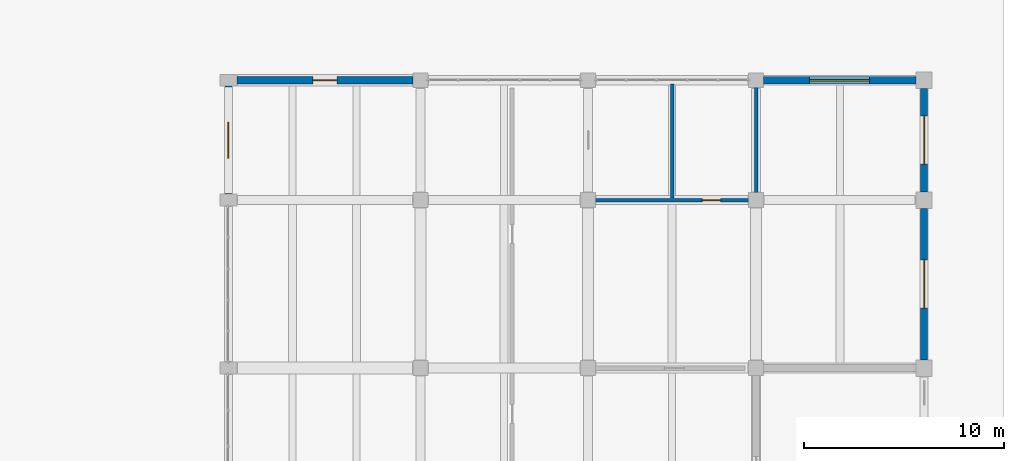
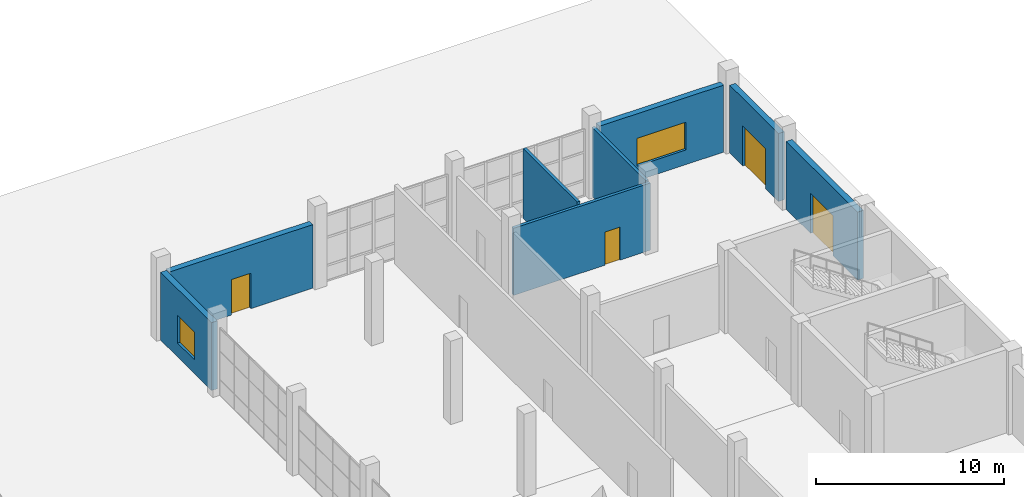
# One storey, part 68 of 78: 8 walls, 4 doors, 2 windows, 6 openings.
"""IFC4 building model written with IfcOpenShell, lengths in metres."""

from ifc_helpers import new_model, si_unit, direction, frame, frame_2d, origin, place, context, subcontext, project, spatial, rectangle, extrude, material, layer, layer_set, type_object, element, fill, save


model = new_model("IFC4")

# Units and contexts
model_context = context("Model", 3, precision=1e-05, world=origin(), true_north=direction((0.0, 1.0)))
body_context = subcontext(model_context, "Body", "Model", "MODEL_VIEW")
ifc_project = project(units=[si_unit("LENGTHUNIT", "METRE"), si_unit("AREAUNIT", "SQUARE_METRE"), si_unit("VOLUMEUNIT", "CUBIC_METRE"), si_unit("PLANEANGLEUNIT", "RADIAN"), si_unit("MASSUNIT", "GRAM", prefix="KILO")], contexts=[model_context])

# Site, building, storey
site_placement = place(None, origin())
site = spatial("IfcSite", under=ifc_project, at=site_placement, CompositionType="ELEMENT")
building_placement = place(site_placement, origin())
building = spatial("IfcBuilding", under=site, at=building_placement, Name="Pellamere Symphony Hall", CompositionType="ELEMENT")
storey_placement = place(building_placement, origin())
storey = spatial("IfcBuildingStorey", under=building, at=storey_placement, Name="L00", CompositionType="ELEMENT", Elevation=0.0)

# Wall, opening, door
ifc_material_1 = material(Name="Precast concrete 40 MPa", Category="concrete")
ifc_layer_1 = layer(ifc_material_1, 0.360107421875, Name="Precast concrete 40 MPa")
ifc_layer_set_1 = layer_set([ifc_layer_1], Name="Precast concrete 40 MPa")
wall_type_1 = type_object("IfcWallType", Name="Exterior Wall EW-01 360mm", PredefinedType="SOLIDWALL", material=ifc_layer_set_1)
wall_1_placement = place(storey_placement, frame((138.425048828125, 99.60009765625, 0.0), z_axis=(0.0, 0.0, 1.0), x_axis=(1.0, 0.0, 0.0)))
wall_1 = element("IfcWall", 1, at=wall_1_placement, inside=storey, type_object=wall_type_1, Name="Exterior Wall EW-01-071 (L00)", PredefinedType="SOLIDWALL", context=body_context, shape_type="SweptSolid", body=[
    extrude(rectangle(XDim=8.800048828125, YDim=0.360107421875, at=frame_2d((4.39990234375, 0.0))), origin(), (0.0, 0.0, 1.0), 4.1201171875),
])
opening_1_placement = place(wall_1_placement, frame((3.800048828125, 0.0, 0.0)))
opening_1 = element("IfcOpeningElement", 2, at=opening_1_placement, cuts=wall_1, Name="Opening E15", PredefinedType="OPENING", context=body_context, shape_type="SweptSolid", body=[
    extrude(rectangle(XDim=1.199951171875, YDim=2.300048828125, at=frame_2d((0.60009765625, 1.14990234375))), frame((0.0, 0.18994140625, 0.0), z_axis=(0.0, -1.0, 0.0), x_axis=(1.0, 0.0, 0.0)), (0.0, 0.0, 1.0), 0.380126953125),
])
ifc_material_2 = material(Name="Thermally Broken Bronze-Anodised Aluminium Acoustic Door", Category="aluminium")
door_type_1 = type_object("IfcDoorType", Name="Exterior Door ED-04 1200x2300", OperationType="NOTDEFINED", PredefinedType="DOOR", material=ifc_material_2)
door_1_placement = place(opening_1_placement, origin())
door_1 = element("IfcDoor", 3, at=door_1_placement, inside=storey, type_object=door_type_1, Name="Education Wing North Courtyard Exit", OperationType="SINGLE_SWING_LEFT", OverallHeight=2.300048828125, OverallWidth=1.199951171875, PredefinedType="DOOR", context=body_context, shape_type="SweptSolid", body=[
    extrude(rectangle(XDim=1.199951171875, YDim=2.300048828125, at=frame_2d((0.60009765625, 1.14990234375))), frame((0.0, 0.02490234375, 0.0), z_axis=(0.0, -1.0, 0.0), x_axis=(1.0, 0.0, 0.0)), (0.0, 0.0, 1.0), 0.050048828125),
])
fill(opening_1, door_1)

# Wall, opening, window
wall_2_placement = place(storey_placement, frame((164.77490234375, 99.60009765625, 0.0), z_axis=(0.0, 0.0, 1.0), x_axis=(1.0, 0.0, 0.0)))
wall_2 = element("IfcWall", 4, at=wall_2_placement, inside=storey, type_object=wall_type_1, Name="Exterior Wall EW-01-072 (L00)", PredefinedType="SOLIDWALL", context=body_context, shape_type="SweptSolid", body=[
    extrude(rectangle(XDim=7.614990234375, YDim=0.360107421875, at=frame_2d((3.8076171875, 0.0))), origin(), (0.0, 0.0, 1.0), 4.340087890625),
])
opening_2_placement = place(wall_2_placement, frame((2.3076171875, 0.0, 0.949951171875)))
opening_2 = element("IfcOpeningElement", 5, at=opening_2_placement, cuts=wall_2, Name="Opening W043", PredefinedType="OPENING", context=body_context, shape_type="SweptSolid", body=[
    extrude(rectangle(XDim=3.0, YDim=1.800048828125, at=frame_2d((1.5, 0.89990234375))), frame((0.0, 0.18994140625, 0.0), z_axis=(0.0, -1.0, 0.0), x_axis=(1.0, 0.0, 0.0)), (0.0, 0.0, 1.0), 0.380126953125),
])
ifc_material_3 = material(Name="Thermally Broken Aluminium Triple-Glazed Acoustic Window", Category="aluminium")
window_type_1 = type_object("IfcWindowType", Name="Window WN-16 3000x1800", PartitioningType="TRIPLE_PANEL_VERTICAL", PredefinedType="WINDOW", material=ifc_material_3)
window_1_placement = place(opening_2_placement, origin())
window_1 = element("IfcWindow", 6, at=window_1_placement, inside=storey, type_object=window_type_1, Name="Exterior Window W043 (L00)", OverallHeight=1.800048828125, OverallWidth=3.0, PartitioningType="SINGLE_PANEL", PredefinedType="WINDOW", context=body_context, shape_type="SweptSolid", body=[
    extrude(rectangle(XDim=3.0, YDim=1.800048828125, at=frame_2d((1.5, 0.89990234375))), frame((0.0, 0.030029296875, 0.0), z_axis=(0.0, -1.0, 0.0), x_axis=(1.0, 0.0, 0.0)), (0.0, 0.0, 1.0), 0.06005859375),
])
fill(opening_2, window_1)

# Wall, opening, door
wall_3_placement = place(storey_placement, frame((172.800048828125, 85.610107421875, 0.0), z_axis=(0.0, 0.0, 1.0), x_axis=(0.0, 1.0, 0.0)))
wall_3 = element("IfcWall", 7, at=wall_3_placement, inside=storey, type_object=wall_type_1, Name="Exterior Wall EW-01-077 (L00)", PredefinedType="SOLIDWALL", context=body_context, shape_type="SweptSolid", body=[
    extrude(rectangle(XDim=7.579833984375, YDim=0.360107421875, at=frame_2d((3.7900390625, 0.0))), origin(), (0.0, 0.0, 1.0), 4.39990234375),
])
opening_3_placement = place(wall_3_placement, frame((2.590087890625, 0.0, 0.0)))
opening_3 = element("IfcOpeningElement", 8, at=opening_3_placement, cuts=wall_3, Name="Opening E3085", PredefinedType="OPENING", context=body_context, shape_type="SweptSolid", body=[
    extrude(rectangle(XDim=2.39990234375, YDim=2.60009765625, at=frame_2d((1.199951171875, 1.300048828125))), frame((0.0, 0.18994140625, 0.0), z_axis=(0.0, -1.0, 0.0), x_axis=(1.0, 0.0, 0.0)), (0.0, 0.0, 1.0), 0.380126953125),
])
door_type_2 = type_object("IfcDoorType", Name="Exterior Door ED-01 2400x2600", OperationType="NOTDEFINED", PredefinedType="DOOR", material=ifc_material_2)
door_2_placement = place(opening_3_placement, frame((2.39990234375, 0.0, 0.0), z_axis=(0.0, 0.0, 1.0), x_axis=(-1.0, 0.0, 0.0)))
door_2 = element("IfcDoor", 9, at=door_2_placement, inside=storey, type_object=door_type_2, Name="Conservatory Wing East Plaza Exit", OperationType="DOUBLE_DOOR_SINGLE_SWING", OverallHeight=2.60009765625, OverallWidth=2.39990234375, PredefinedType="DOOR", context=body_context, shape_type="SweptSolid", body=[
    extrude(rectangle(XDim=2.39990234375, YDim=2.60009765625, at=frame_2d((1.199951171875, 1.300048828125))), frame((0.0, 0.02490234375, 0.0), z_axis=(0.0, -1.0, 0.0), x_axis=(1.0, 0.0, 0.0)), (0.0, 0.0, 1.0), 0.050048828125),
])
fill(opening_3, door_2)

wall_4_placement = place(storey_placement, frame((172.800048828125, 94.010009765625, 0.0), z_axis=(0.0, 0.0, 1.0), x_axis=(0.0, 1.0, 0.0)))
wall_4 = element("IfcWall", 10, at=wall_4_placement, inside=storey, type_object=wall_type_1, Name="Exterior Wall EW-01-078 (L00)", PredefinedType="SOLIDWALL", context=body_context, shape_type="SweptSolid", body=[
    extrude(rectangle(XDim=5.179931640625, YDim=0.360107421875, at=frame_2d((2.58984375, 0.0))), origin(), (0.0, 0.0, 1.0), 4.39990234375),
])
opening_4_placement = place(wall_4_placement, frame((1.389892578125, 0.0, 0.0)))
opening_4 = element("IfcOpeningElement", 11, at=opening_4_placement, cuts=wall_4, Name="Opening E3093", PredefinedType="OPENING", context=body_context, shape_type="SweptSolid", body=[
    extrude(rectangle(XDim=2.39990234375, YDim=2.60009765625, at=frame_2d((1.199951171875, 1.300048828125))), frame((0.0, 0.18994140625, 0.0), z_axis=(0.0, -1.0, 0.0), x_axis=(1.0, 0.0, 0.0)), (0.0, 0.0, 1.0), 0.380126953125),
])
door_3_placement = place(opening_4_placement, frame((2.39990234375, 0.0, 0.0), z_axis=(0.0, 0.0, 1.0), x_axis=(-1.0, 0.0, 0.0)))
door_3 = element("IfcDoor", 12, at=door_3_placement, inside=storey, type_object=door_type_2, Name="Conservatory Wing East Plaza Exit", OperationType="DOUBLE_DOOR_SINGLE_SWING", OverallHeight=2.60009765625, OverallWidth=2.39990234375, PredefinedType="DOOR", context=body_context, shape_type="SweptSolid", body=[
    extrude(rectangle(XDim=2.39990234375, YDim=2.60009765625, at=frame_2d((1.199951171875, 1.300048828125))), frame((0.0, 0.02490234375, 0.0), z_axis=(0.0, -1.0, 0.0), x_axis=(1.0, 0.0, 0.0)), (0.0, 0.0, 1.0), 0.050048828125),
])
fill(opening_4, door_3)

# Wall, opening, window
wall_5_placement = place(storey_placement, frame((138.0, 93.89990234375, 0.0), z_axis=(0.0, 0.0, 1.0), x_axis=(0.0, 1.0, 0.0)))
wall_5 = element("IfcWall", 13, at=wall_5_placement, inside=storey, type_object=wall_type_1, Name="Exterior Wall EW-01-081 (L00)", PredefinedType="SOLIDWALL", context=body_context, shape_type="SweptSolid", body=[
    extrude(rectangle(XDim=5.400146484375, YDim=0.360107421875, at=frame_2d((2.7001953125, 0.0))), origin(), (0.0, 0.0, 1.0), 4.39990234375),
])
opening_5_placement = place(wall_5_placement, frame((1.800048828125, 0.0, 0.89990234375)))
opening_5 = element("IfcOpeningElement", 14, at=opening_5_placement, cuts=wall_5, Name="Opening W046", PredefinedType="OPENING", context=body_context, shape_type="SweptSolid", body=[
    extrude(rectangle(XDim=1.800048828125, YDim=1.800048828125, at=frame_2d((0.89990234375, 0.89990234375))), frame((0.0, 0.18994140625, 0.0), z_axis=(0.0, -1.0, 0.0), x_axis=(1.0, 0.0, 0.0)), (0.0, 0.0, 1.0), 0.380126953125),
])
window_type_2 = type_object("IfcWindowType", Name="Window WN-03 1800x1800", PartitioningType="DOUBLE_PANEL_VERTICAL", PredefinedType="WINDOW", material=ifc_material_3)
window_2_placement = place(opening_5_placement, origin())
window_2 = element("IfcWindow", 15, at=window_2_placement, inside=storey, type_object=window_type_2, Name="Exterior Window W046 (L00)", OverallHeight=1.800048828125, OverallWidth=1.800048828125, PartitioningType="SINGLE_PANEL", PredefinedType="WINDOW", context=body_context, shape_type="SweptSolid", body=[
    extrude(rectangle(XDim=1.800048828125, YDim=1.800048828125, at=frame_2d((0.89990234375, 0.89990234375))), frame((0.0, 0.030029296875, 0.0), z_axis=(0.0, -1.0, 0.0), x_axis=(1.0, 0.0, 0.0)), (0.0, 0.0, 1.0), 0.06005859375),
])
fill(opening_5, window_2)

# Wall, opening, door
ifc_material_4 = material(Name="Moisture-Resistant Ceramic-Tiled Washroom Wall", Category="gypsum")
ifc_layer_2 = layer(ifc_material_4, 0.179931640625, Name="Moisture-Resistant Ceramic-Tiled Washroom Wall")
ifc_layer_set_2 = layer_set([ifc_layer_2], Name="Moisture-Resistant Ceramic-Tiled Washroom Wall")
wall_type_2 = type_object("IfcWallType", Name="Interior Partition IW-06 180mm", PredefinedType="PARTITIONING", material=ifc_layer_set_2)
wall_6_placement = place(storey_placement, frame((156.110107421875, 93.60009765625, 0.0), z_axis=(0.0, 0.0, 1.0), x_axis=(1.0, 0.0, 0.0)))
wall_6 = element("IfcWall", 16, at=wall_6_placement, inside=storey, type_object=wall_type_2, Name="Interior Partition IW-06-065 (L00)", PredefinedType="PARTITIONING", context=body_context, shape_type="SweptSolid", body=[
    extrude(rectangle(XDim=8.3798828125, YDim=0.179931640625, at=frame_2d((4.18994140625, 0.0))), origin(), (0.0, 0.0, 1.0), 4.35009765625),
])
opening_6_placement = place(wall_6_placement, frame((5.60009765625, 0.0, 0.0)))
opening_6 = element("IfcOpeningElement", 17, at=opening_6_placement, cuts=wall_6, Name="Opening ID-WC1-030", PredefinedType="OPENING", context=body_context, shape_type="SweptSolid", body=[
    extrude(rectangle(XDim=0.919921875, YDim=2.14990234375, at=frame_2d((0.4599609375, 1.074951171875))), frame((0.0, 0.099853515625, 0.0), z_axis=(0.0, -1.0, 0.0), x_axis=(1.0, 0.0, 0.0)), (0.0, 0.0, 1.0), 0.199951171875),
])
ifc_material_5 = material(Name="Accessible Washroom Privacy Door", Category="wood")
door_type_3 = type_object("IfcDoorType", Name="Interior Door ID-WC1 920x2150", OperationType="NOTDEFINED", PredefinedType="DOOR", material=ifc_material_5)
door_4_placement = place(opening_6_placement, origin())
door_4 = element("IfcDoor", 18, at=door_4_placement, inside=storey, type_object=door_type_3, Name="Artists Wing Accessible WC Door", OperationType="SINGLE_SWING_LEFT", OverallHeight=2.14990234375, OverallWidth=0.919921875, PredefinedType="DOOR", context=body_context, shape_type="SweptSolid", body=[
    extrude(rectangle(XDim=0.919921875, YDim=2.14990234375, at=frame_2d((0.4599609375, 1.074951171875))), frame((0.0, 0.02490234375, 0.0), z_axis=(0.0, -1.0, 0.0), x_axis=(1.0, 0.0, 0.0)), (0.0, 0.0, 1.0), 0.050048828125),
])
fill(opening_6, door_4)

# Walls
wall_7_placement = place(storey_placement, frame((164.39990234375, 93.699951171875, 0.0), z_axis=(0.0, 0.0, 1.0), x_axis=(0.0, 1.0, 0.0)))
element("IfcWall", 19, at=wall_7_placement, inside=storey, type_object=wall_type_2, Name="Interior Partition IW-06-066 (L00)", PredefinedType="PARTITIONING", context=body_context, shape_type="SweptSolid", body=[
    extrude(rectangle(XDim=5.719970703125, YDim=0.179931640625, at=frame_2d((2.85986328125, 0.0))), origin(), (0.0, 0.0, 1.0), 4.449951171875),
])
wall_8_placement = place(storey_placement, frame((160.199951171875, 93.699951171875, 0.0), z_axis=(0.0, 0.0, 1.0), x_axis=(0.0, 1.0, 0.0)))
element("IfcWall", 20, at=wall_8_placement, inside=storey, type_object=wall_type_2, Name="Interior Partition IW-06-067 (L00)", PredefinedType="PARTITIONING", context=body_context, shape_type="SweptSolid", body=[
    extrude(rectangle(XDim=5.719970703125, YDim=0.179931640625, at=frame_2d((2.85986328125, 0.0))), origin(), (0.0, 0.0, 1.0), 4.534912109375),
])

save(model, "model.ifc")
